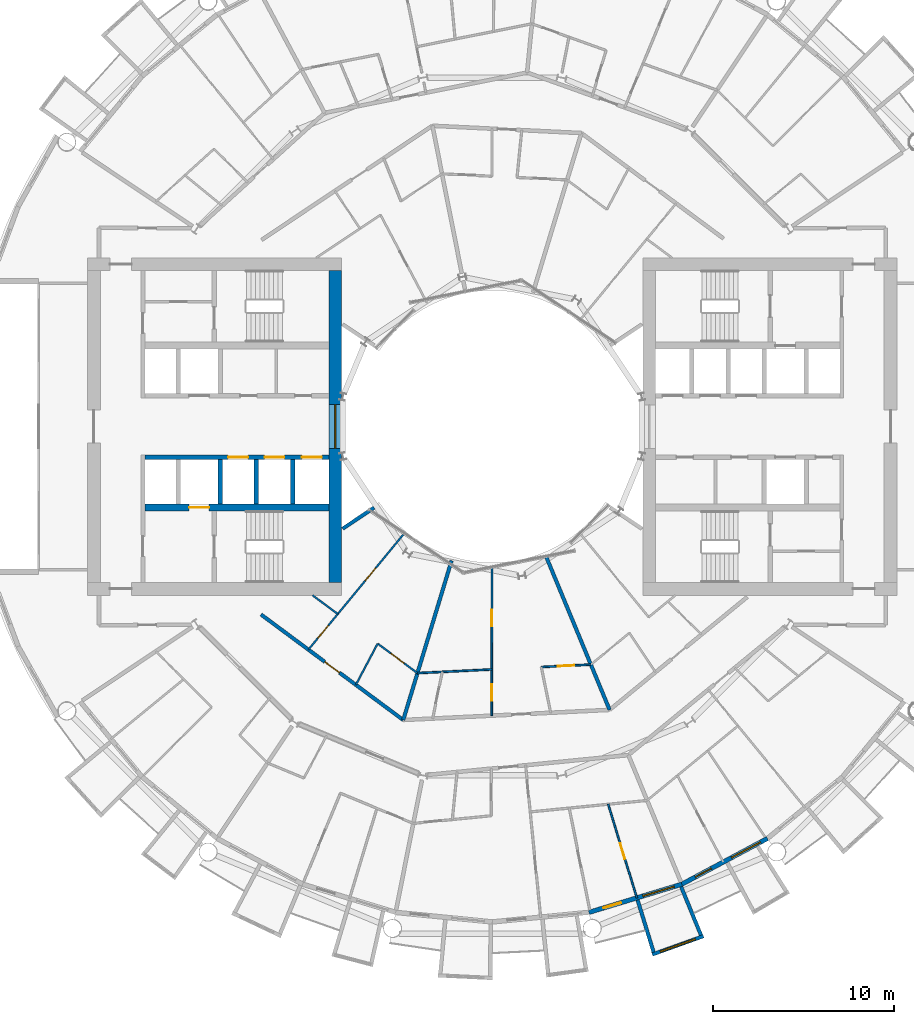
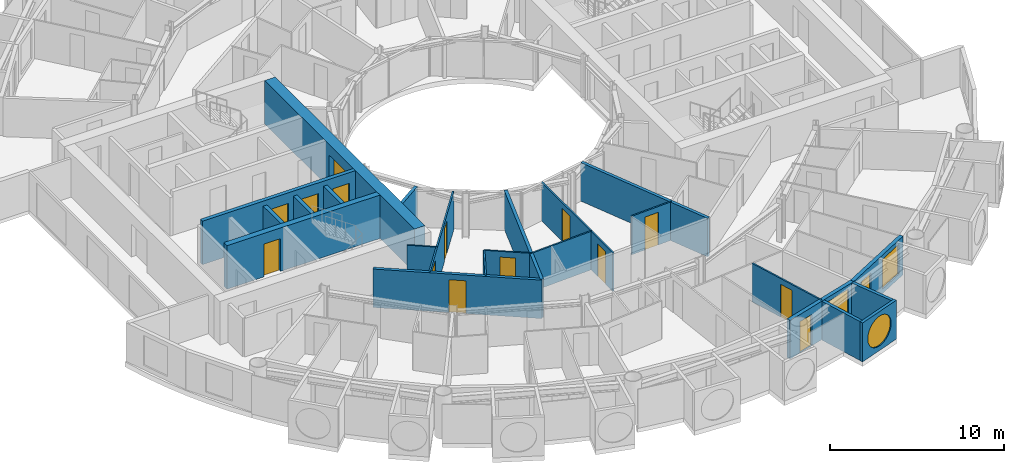
# One storey, part 15 of 26: 23 walls, 14 doors, 4 windows, 18 openings.
"""IFC4 building model written with IfcOpenShell, lengths in metres."""

from ifc_helpers import new_model, si_unit, direction, frame, frame_2d, origin, place, context, subcontext, project, spatial, rectangle, circle, extrude, material, layer, layer_set, type_object, element, fill, save


model = new_model("IFC4")

# Units and contexts
model_context = context("Model", 3, precision=1e-05, world=origin(), true_north=direction((0.0, 1.0)))
body_context = subcontext(model_context, "Body", "Model", "MODEL_VIEW")
ifc_project = project(units=[si_unit("LENGTHUNIT", "METRE"), si_unit("AREAUNIT", "SQUARE_METRE"), si_unit("VOLUMEUNIT", "CUBIC_METRE"), si_unit("PLANEANGLEUNIT", "RADIAN"), si_unit("MASSUNIT", "GRAM", prefix="KILO")], contexts=[model_context])

# Site, building, storey
site_placement = place(None, origin())
site = spatial("IfcSite", under=ifc_project, at=site_placement, CompositionType="ELEMENT")
building_placement = place(site_placement, origin())
building = spatial("IfcBuilding", under=site, at=building_placement, Name="Maasbend Ring Residences", CompositionType="ELEMENT")
storey_placement = place(building_placement, frame((0.0, 0.0, 63.60009765625)))
storey = spatial("IfcBuildingStorey", under=building, at=storey_placement, Name="L17", CompositionType="ELEMENT", Elevation=63.60009765625)

# Wall, openings, doors
ifc_material_1 = material(Name="Concrete C70/85", Category="concrete")
ifc_layer_1 = layer(ifc_material_1, 0.25)
ifc_layer_set_1 = layer_set([ifc_layer_1], Name="Concrete C70/85")
wall_type_1 = type_object("IfcWallType", Name="CORE WALL 250 C70/85", PredefinedType="SHEAR", material=ifc_layer_set_1)
wall_1_placement = place(storey_placement, frame((-9.0, -1.699951171875, 0.0), z_axis=(0.0, 0.0, 1.0), x_axis=(-1.0, 0.0, 0.0)))
wall_1 = element("IfcWall", 1, at=wall_1_placement, inside=storey, type_object=wall_type_1, Name="L17 core W wall SPN", PredefinedType="SHEAR", context=body_context, shape_type="SweptSolid", body=[
    extrude(rectangle(XDim=10.14990234375, YDim=0.25, at=frame_2d((5.074951171875, 0.0))), origin(), (0.0, 0.0, 1.0), 3.0498046875),
])
opening_1_placement = place(wall_1_placement, frame((0.387451171875, 0.0, 0.0)))
opening_1 = element("IfcOpeningElement", 2, at=opening_1_placement, cuts=wall_1, Name="Opening LD-W1701", PredefinedType="OPENING", context=body_context, shape_type="SweptSolid", body=[
    extrude(rectangle(XDim=1.10009765625, YDim=2.300048828125, at=frame_2d((0.550048828125, 1.14990234375))), frame((0.0, 0.135009765625, 0.0), z_axis=(0.0, -1.0, 0.0), x_axis=(1.0, 0.0, 0.0)), (0.0, 0.0, 1.0), 0.27001953125),
])
opening_2_placement = place(wall_1_placement, frame((2.449951171875, 0.0, 0.0)))
opening_2 = element("IfcOpeningElement", 3, at=opening_2_placement, cuts=wall_1, Name="Opening LD-W1702", PredefinedType="OPENING", context=body_context, shape_type="SweptSolid", body=[
    extrude(rectangle(XDim=1.10009765625, YDim=2.300048828125, at=frame_2d((0.550048828125, 1.14990234375))), frame((0.0, 0.135009765625, 0.0), z_axis=(0.0, -1.0, 0.0), x_axis=(1.0, 0.0, 0.0)), (0.0, 0.0, 1.0), 0.27001953125),
])
opening_3_placement = place(wall_1_placement, frame((4.449951171875, 0.0, 0.0)))
opening_3 = element("IfcOpeningElement", 4, at=opening_3_placement, cuts=wall_1, Name="Opening LD-W1703", PredefinedType="OPENING", context=body_context, shape_type="SweptSolid", body=[
    extrude(rectangle(XDim=1.10009765625, YDim=2.300048828125, at=frame_2d((0.550048828125, 1.14990234375))), frame((0.0, 0.135009765625, 0.0), z_axis=(0.0, -1.0, 0.0), x_axis=(1.0, 0.0, 0.0)), (0.0, 0.0, 1.0), 0.27001953125),
])
ifc_material_2 = material(Name="Stainless steel 316", Category="steel")
door_type_1 = type_object("IfcDoorType", Name="LANDING DOOR 1100 X 2300 FD60", OperationType="DOUBLE_DOOR_SLIDING", PredefinedType="DOOR", material=ifc_material_2)
door_1_placement = place(opening_1_placement, origin())
door_1 = element("IfcDoor", 5, at=door_1_placement, inside=storey, type_object=door_type_1, Name="Landing door LR-W1 L17", OperationType="DOUBLE_DOOR_SLIDING", OverallHeight=2.300048828125, OverallWidth=1.10009765625, PredefinedType="DOOR", context=body_context, shape_type="SweptSolid", body=[
    extrude(rectangle(XDim=1.10009765625, YDim=2.300048828125, at=frame_2d((0.550048828125, 1.14990234375))), frame((0.0, 0.02490234375, 0.0), z_axis=(0.0, -1.0, 0.0), x_axis=(1.0, 0.0, 0.0)), (0.0, 0.0, 1.0), 0.050048828125),
])
fill(opening_1, door_1)
door_2_placement = place(opening_2_placement, origin())
door_2 = element("IfcDoor", 6, at=door_2_placement, inside=storey, type_object=door_type_1, Name="Landing door LR-W2 L17", OperationType="DOUBLE_DOOR_SLIDING", OverallHeight=2.300048828125, OverallWidth=1.10009765625, PredefinedType="DOOR", context=body_context, shape_type="SweptSolid", body=[
    extrude(rectangle(XDim=1.10009765625, YDim=2.300048828125, at=frame_2d((0.550048828125, 1.14990234375))), frame((0.0, 0.02490234375, 0.0), z_axis=(0.0, -1.0, 0.0), x_axis=(1.0, 0.0, 0.0)), (0.0, 0.0, 1.0), 0.050048828125),
])
fill(opening_2, door_2)
door_3_placement = place(opening_3_placement, origin())
door_3 = element("IfcDoor", 7, at=door_3_placement, inside=storey, type_object=door_type_1, Name="Landing door LR-W3 L17", OperationType="DOUBLE_DOOR_SLIDING", OverallHeight=2.300048828125, OverallWidth=1.10009765625, PredefinedType="DOOR", context=body_context, shape_type="SweptSolid", body=[
    extrude(rectangle(XDim=1.10009765625, YDim=2.300048828125, at=frame_2d((0.550048828125, 1.14990234375))), frame((0.0, 0.02490234375, 0.0), z_axis=(0.0, -1.0, 0.0), x_axis=(1.0, 0.0, 0.0)), (0.0, 0.0, 1.0), 0.050048828125),
])
fill(opening_3, door_3)

# Wall, opening, door
ifc_material_3 = material(Name="Concrete C70/85", Category="concrete")
ifc_layer_2 = layer(ifc_material_3, 0.375)
ifc_layer_set_2 = layer_set([ifc_layer_2], Name="Concrete C70/85")
wall_type_2 = type_object("IfcWallType", Name="CORE WALL 375 C70/85", PredefinedType="SHEAR", material=ifc_layer_set_2)
wall_2_placement = place(storey_placement, frame((-9.0, -4.46240234375, 0.0), z_axis=(0.0, 0.0, 1.0), x_axis=(-1.0, 0.0, 0.0)))
wall_2 = element("IfcWall", 8, at=wall_2_placement, inside=storey, type_object=wall_type_2, Name="L17 core W wall BN", PredefinedType="SHEAR", context=body_context, shape_type="SweptSolid", body=[
    extrude(rectangle(XDim=10.14990234375, YDim=0.375, at=frame_2d((5.074951171875, 0.0))), origin(), (0.0, 0.0, 1.0), 3.0498046875),
])
opening_4_placement = place(wall_2_placement, frame((6.60009765625, 0.0, 0.0)))
opening_4 = element("IfcOpeningElement", 9, at=opening_4_placement, cuts=wall_2, Name="Opening LD-W1704", PredefinedType="OPENING", context=body_context, shape_type="SweptSolid", body=[
    extrude(rectangle(XDim=1.10009765625, YDim=2.300048828125, at=frame_2d((0.550048828125, 1.14990234375))), frame((0.0, 0.197509765625, 0.0), z_axis=(0.0, -1.0, 0.0), x_axis=(1.0, 0.0, 0.0)), (0.0, 0.0, 1.0), 0.39501953125),
])
door_4_placement = place(opening_4_placement, origin())
door_4 = element("IfcDoor", 10, at=door_4_placement, inside=storey, type_object=door_type_1, Name="Landing door FF-W L17", OperationType="DOUBLE_DOOR_SLIDING", OverallHeight=2.300048828125, OverallWidth=1.10009765625, PredefinedType="DOOR", context=body_context, shape_type="SweptSolid", body=[
    extrude(rectangle(XDim=1.10009765625, YDim=2.300048828125, at=frame_2d((0.550048828125, 1.14990234375))), frame((0.0, 0.02490234375, 0.0), z_axis=(0.0, -1.0, 0.0), x_axis=(1.0, 0.0, 0.0)), (0.0, 0.0, 1.0), 0.050048828125),
])
fill(opening_4, door_4)

# Wall, opening, window
ifc_material_4 = material(Name="Concrete C70/85", Category="concrete")
ifc_layer_3 = layer(ifc_material_4, 0.699951171875)
ifc_layer_set_3 = layer_set([ifc_layer_3], Name="Concrete C70/85")
wall_type_3 = type_object("IfcWallType", Name="CORE WALL 700 C70/85", PredefinedType="SHEAR", material=ifc_layer_set_3)
wall_3_placement = place(storey_placement, frame((-8.64990234375, 8.60009765625, 0.0), z_axis=(0.0, 0.0, 1.0), x_axis=(0.0, -1.0, 0.0)))
wall_3 = element("IfcWall", 11, at=wall_3_placement, inside=storey, type_object=wall_type_3, Name="L17 core W wall PIN", PredefinedType="SHEAR", context=body_context, shape_type="SweptSolid", body=[
    extrude(rectangle(XDim=17.2001953125, YDim=0.699951171875, at=frame_2d((8.60009765625, 0.0))), origin(), (0.0, 0.0, 1.0), 3.0498046875),
])
opening_5_placement = place(wall_3_placement, frame((7.39990234375, 0.0, 0.10009765625)))
opening_5 = element("IfcOpeningElement", 12, at=opening_5_placement, cuts=wall_3, Name="Opening W-W1701", PredefinedType="OPENING", context=body_context, shape_type="SweptSolid", body=[
    extrude(rectangle(XDim=2.39990234375, YDim=2.199951171875, at=frame_2d((1.199951171875, 1.10009765625))), frame((0.0, 0.35986328125, 0.0), z_axis=(0.0, -1.0, 0.0), x_axis=(1.0, 0.0, 0.0)), (0.0, 0.0, 1.0), 0.719970703125),
])
ifc_material_5 = material(Name="Aluminium frame and clear glass", Category="aluminium")
window_type_1 = type_object("IfcWindowType", Name="FIXED WINDOW 2400 X 2200", PartitioningType="SINGLE_PANEL", PredefinedType="WINDOW", material=ifc_material_5)
window_1_placement = place(opening_5_placement, origin())
window_1 = element("IfcWindow", 13, at=window_1_placement, inside=storey, type_object=window_type_1, Name="Lobby window L17", OverallHeight=2.199951171875, OverallWidth=2.39990234375, PartitioningType="SINGLE_PANEL", PredefinedType="WINDOW", context=body_context, shape_type="SweptSolid", body=[
    extrude(rectangle(XDim=2.39990234375, YDim=2.199951171875, at=frame_2d((1.199951171875, 1.10009765625))), frame((0.0, 0.030029296875, 0.0), z_axis=(0.0, -1.0, 0.0), x_axis=(1.0, 0.0, 0.0)), (0.0, 0.0, 1.0), 0.06005859375),
])
fill(opening_5, window_1)

# Wall, opening, door
ifc_material_6 = material(Name="Concrete C30/37", Category="concrete")
ifc_layer_4 = layer(ifc_material_6, 0.199951171875)
ifc_layer_set_4 = layer_set([ifc_layer_4], Name="Concrete C30/37")
wall_type_4 = type_object("IfcWallType", Name="CORRIDOR WALL 200 CONCRETE", PredefinedType="PARTITIONING", material=ifc_layer_set_4)
wall_4_placement = place(storey_placement, frame((-12.7451171875, -10.35791015625, 0.0), z_axis=(0.0, 0.0, 1.0), x_axis=(0.803191461888, -0.595720971219, 0.0)))
wall_4 = element("IfcWall", 14, at=wall_4_placement, inside=storey, type_object=wall_type_4, Name="U-L17-w016", PredefinedType="PARTITIONING", context=body_context, shape_type="SweptSolid", body=[
    extrude(rectangle(XDim=9.760009765625, YDim=0.199951171875, at=frame_2d((4.8798828125, 0.0))), origin(), (0.0, 0.0, 1.0), 2.699951171875),
])
opening_6_placement = place(wall_4_placement, frame((4.3798828125, 0.0, 0.0)))
opening_6 = element("IfcOpeningElement", 15, at=opening_6_placement, cuts=wall_4, Name="Opening D-1757", PredefinedType="OPENING", context=body_context, shape_type="SweptSolid", body=[
    extrude(rectangle(XDim=1.0, YDim=2.300048828125, at=frame_2d((0.5, 1.14990234375))), frame((0.0, 0.10986328125, 0.0), z_axis=(0.0, -1.0, 0.0), x_axis=(1.0, 0.0, 0.0)), (0.0, 0.0, 1.0), 0.219970703125),
])
ifc_material_7 = material(Name="Timber, fire-rated, painted", Category="wood")
door_type_2 = type_object("IfcDoorType", Name="FLAT ENTRANCE DOOR 1000 X 2300 FIRE-RATED", OperationType="NOTDEFINED", PredefinedType="DOOR", material=ifc_material_7)
door_5_placement = place(opening_6_placement, origin())
door_5 = element("IfcDoor", 16, at=door_5_placement, inside=storey, type_object=door_type_2, Name="D-1757", OperationType="SINGLE_SWING_RIGHT", OverallHeight=2.300048828125, OverallWidth=1.0, PredefinedType="DOOR", context=body_context, shape_type="SweptSolid", body=[
    extrude(rectangle(XDim=1.0, YDim=2.300048828125, at=frame_2d((0.5, 1.14990234375))), frame((0.0, 0.02490234375, 0.0), z_axis=(0.0, -1.0, 0.0), x_axis=(1.0, 0.0, 0.0)), (0.0, 0.0, 1.0), 0.050048828125),
])
fill(opening_6, door_5)

# Wall, opening, window
ifc_material_8 = material(Name="Pale anodised aluminium panel", Category="aluminium")
ifc_layer_5 = layer(ifc_material_8, 0.199951171875)
ifc_layer_set_5 = layer_set([ifc_layer_5], Name="EW-BOX")
wall_type_5 = type_object("IfcWallType", Name="EW-BOX", PredefinedType="SOLIDWALL", material=ifc_layer_set_5)
wall_5_placement = place(storey_placement, frame((8.820068359375, -29.093017578125, -0.030029296875), z_axis=(0.0, 0.0, 1.0), x_axis=(0.941461077774, 0.337121697664, 0.0)))
wall_5 = element("IfcWall", 17, at=wall_5_placement, inside=storey, type_object=wall_type_5, Name="Box front S14", PredefinedType="SOLIDWALL", context=body_context, shape_type="SweptSolid", body=[
    extrude(rectangle(XDim=2.9931640625, YDim=0.199951171875, at=frame_2d((1.49658203125, 0.0))), origin(), (0.0, 0.0, 1.0), 2.72998046875),
])
opening_7_placement = place(wall_5_placement, frame((0.45654296875, 0.0, 0.330078125)))
opening_7 = element("IfcOpeningElement", 18, at=opening_7_placement, cuts=wall_5, Name="Opening W-RD", PredefinedType="OPENING", context=body_context, shape_type="SweptSolid", body=[
    extrude(circle(Radius=1.0400390625, at=frame_2d((1.0400390625, 1.0400390625))), frame((0.0, 0.10986328125, 0.0), z_axis=(0.0, -1.0, 0.0), x_axis=(1.0, 0.0, 0.0)), (0.0, 0.0, 1.0), 0.219970703125),
])
ifc_material_9 = material(Name="Aluminium and clear glass", Category="aluminium")
window_type_2 = type_object("IfcWindowType", Name="W-RD", PartitioningType="SINGLE_PANEL", PredefinedType="WINDOW", material=ifc_material_9)
window_2_placement = place(opening_7_placement, origin())
window_2 = element("IfcWindow", 19, at=window_2_placement, inside=storey, type_object=window_type_2, Name="Round window S14", OverallHeight=2.080078125, OverallWidth=2.080078125, PartitioningType="SINGLE_PANEL", PredefinedType="WINDOW", context=body_context, shape_type="SweptSolid", body=[
    extrude(circle(Radius=1.0400390625, at=frame_2d((1.0400390625, 1.0400390625))), frame((0.0, 0.030029296875, 0.0), z_axis=(0.0, -1.0, 0.0), x_axis=(1.0, 0.0, 0.0)), (0.0, 0.0, 1.0), 0.06005859375),
])
fill(opening_7, window_2)

# Walls
wall_6_placement = place(storey_placement, frame((8.009033203125, -26.092041015625, -0.030029296875), z_axis=(0.0, 0.0, 1.0), x_axis=(0.293406695073, -0.955987715029, 0.0)))
element("IfcWall", 20, at=wall_6_placement, inside=storey, type_object=wall_type_5, Name="Box side wall S14 left", PredefinedType="SOLIDWALL", context=body_context, shape_type="SweptSolid", body=[
    extrude(rectangle(XDim=3.00634765625, YDim=0.199951171875, at=frame_2d((1.503173828125, 0.0))), origin(), (0.0, 0.0, 1.0), 2.72998046875),
])
wall_7_placement = place(storey_placement, frame((10.408935546875, -25.364013671875, -0.030029296875), z_axis=(0.0, 0.0, 1.0), x_axis=(0.379509886562, -0.925187681501, 0.0)))
element("IfcWall", 21, at=wall_7_placement, inside=storey, type_object=wall_type_5, Name="Box side wall S14 right", PredefinedType="SOLIDWALL", context=body_context, shape_type="SweptSolid", body=[
    extrude(rectangle(XDim=2.882568359375, YDim=0.199951171875, at=frame_2d((1.44140625, 0.0))), origin(), (0.0, 0.0, 1.0), 2.72998046875),
])

# Wall, openings, door, window
ifc_material_10 = material(Name="Aluminium clad insulated panel", Category="aluminium")
ifc_layer_6 = layer(ifc_material_10, 0.25)
ifc_layer_set_6 = layer_set([ifc_layer_6], Name="EW-GL")
wall_type_6 = type_object("IfcWallType", Name="EW-GL", PredefinedType="SOLIDWALL", material=ifc_layer_set_6)
wall_8_placement = place(storey_placement, frame((5.325927734375, -26.77490234375, 0.0), z_axis=(0.0, 0.0, 1.0), x_axis=(0.956965678721, 0.290201119486, 0.0)))
wall_8 = element("IfcWall", 22, at=wall_8_placement, inside=storey, type_object=wall_type_6, Name="External wall S07", PredefinedType="SOLIDWALL", context=body_context, shape_type="SweptSolid", body=[
    extrude(rectangle(XDim=5.351318359375, YDim=0.25, at=frame_2d((2.67578125, 0.0))), origin(), (0.0, 0.0, 1.0), 2.699951171875),
])
opening_8_placement = place(wall_8_placement, frame((0.841064453125, 0.0, 0.0)))
opening_8 = element("IfcOpeningElement", 23, at=opening_8_placement, cuts=wall_8, Name="Opening D-LG", PredefinedType="OPENING", context=body_context, shape_type="SweptSolid", body=[
    extrude(rectangle(XDim=1.0, YDim=2.199951171875, at=frame_2d((0.5, 1.10009765625))), frame((0.0, 0.135009765625, 0.0), z_axis=(0.0, -1.0, 0.0), x_axis=(1.0, 0.0, 0.0)), (0.0, 0.0, 1.0), 0.27001953125),
])
opening_9_placement = place(wall_8_placement, frame((3.110595703125, 0.0, 0.300048828125)))
opening_9 = element("IfcOpeningElement", 24, at=opening_9_placement, cuts=wall_8, Name="Opening W-BX", PredefinedType="OPENING", context=body_context, shape_type="SweptSolid", body=[
    extrude(rectangle(XDim=1.800048828125, YDim=2.10009765625, at=frame_2d((0.89990234375, 1.050048828125))), frame((0.0, 0.135009765625, 0.0), z_axis=(0.0, -1.0, 0.0), x_axis=(1.0, 0.0, 0.0)), (0.0, 0.0, 1.0), 0.27001953125),
])
ifc_material_11 = material(Name="Aluminium and clear glass", Category="aluminium")
door_type_3 = type_object("IfcDoorType", Name="D-LG", OperationType="SINGLE_SWING_LEFT", PredefinedType="DOOR", material=ifc_material_11)
door_6_placement = place(opening_8_placement, origin())
door_6 = element("IfcDoor", 25, at=door_6_placement, inside=storey, type_object=door_type_3, Name="Loggia door S13", OperationType="SINGLE_SWING_LEFT", OverallHeight=2.199951171875, OverallWidth=1.0, PredefinedType="DOOR", context=body_context, shape_type="SweptSolid", body=[
    extrude(rectangle(XDim=1.0, YDim=2.199951171875, at=frame_2d((0.5, 1.10009765625))), frame((0.0, 0.02490234375, 0.0), z_axis=(0.0, -1.0, 0.0), x_axis=(1.0, 0.0, 0.0)), (0.0, 0.0, 1.0), 0.050048828125),
])
fill(opening_8, door_6)
ifc_material_12 = material(Name="Aluminium and clear glass", Category="aluminium")
window_type_3 = type_object("IfcWindowType", Name="W-BX", PartitioningType="DOUBLE_PANEL_VERTICAL", PredefinedType="WINDOW", material=ifc_material_12)
window_3_placement = place(opening_9_placement, origin())
window_3 = element("IfcWindow", 26, at=window_3_placement, inside=storey, type_object=window_type_3, Name="Window S14 room to box", OverallHeight=2.10009765625, OverallWidth=1.800048828125, PartitioningType="SINGLE_PANEL", PredefinedType="WINDOW", context=body_context, shape_type="SweptSolid", body=[
    extrude(rectangle(XDim=1.800048828125, YDim=2.10009765625, at=frame_2d((0.89990234375, 1.050048828125))), frame((0.0, 0.030029296875, 0.0), z_axis=(0.0, -1.0, 0.0), x_axis=(1.0, 0.0, 0.0)), (0.0, 0.0, 1.0), 0.06005859375),
])
fill(opening_9, window_3)

wall_9_placement = place(storey_placement, frame((10.447021484375, -25.221923828125, 0.0), z_axis=(0.0, 0.0, 1.0), x_axis=(0.881915646801, 0.471407246368, 0.0)))
wall_9 = element("IfcWall", 27, at=wall_9_placement, inside=storey, type_object=wall_type_6, Name="External wall S08", PredefinedType="SOLIDWALL", context=body_context, shape_type="SweptSolid", body=[
    extrude(rectangle(XDim=5.35205078125, YDim=0.25, at=frame_2d((2.676025390625, 0.0))), origin(), (0.0, 0.0, 1.0), 2.699951171875),
])
opening_10_placement = place(wall_9_placement, frame((0.841064453125, 0.0, 0.0)))
opening_10 = element("IfcOpeningElement", 28, at=opening_10_placement, cuts=wall_9, Name="Opening D-LG", PredefinedType="OPENING", context=body_context, shape_type="SweptSolid", body=[
    extrude(rectangle(XDim=1.0, YDim=2.199951171875, at=frame_2d((0.5, 1.10009765625))), frame((0.0, 0.135009765625, 0.0), z_axis=(0.0, -1.0, 0.0), x_axis=(1.0, 0.0, 0.0)), (0.0, 0.0, 1.0), 0.27001953125),
])
opening_11_placement = place(wall_9_placement, frame((3.110595703125, 0.0, 0.300048828125)))
opening_11 = element("IfcOpeningElement", 29, at=opening_11_placement, cuts=wall_9, Name="Opening W-BX", PredefinedType="OPENING", context=body_context, shape_type="SweptSolid", body=[
    extrude(rectangle(XDim=1.800048828125, YDim=2.10009765625, at=frame_2d((0.89990234375, 1.050048828125))), frame((0.0, 0.135009765625, 0.0), z_axis=(0.0, -1.0, 0.0), x_axis=(1.0, 0.0, 0.0)), (0.0, 0.0, 1.0), 0.27001953125),
])
door_7_placement = place(opening_10_placement, origin())
door_7 = element("IfcDoor", 30, at=door_7_placement, inside=storey, type_object=door_type_3, Name="Loggia door S15", OperationType="SINGLE_SWING_LEFT", OverallHeight=2.199951171875, OverallWidth=1.0, PredefinedType="DOOR", context=body_context, shape_type="SweptSolid", body=[
    extrude(rectangle(XDim=1.0, YDim=2.199951171875, at=frame_2d((0.5, 1.10009765625))), frame((0.0, 0.02490234375, 0.0), z_axis=(0.0, -1.0, 0.0), x_axis=(1.0, 0.0, 0.0)), (0.0, 0.0, 1.0), 0.050048828125),
])
fill(opening_10, door_7)
window_4_placement = place(opening_11_placement, origin())
window_4 = element("IfcWindow", 31, at=window_4_placement, inside=storey, type_object=window_type_3, Name="Window S16 room to box", OverallHeight=2.10009765625, OverallWidth=1.800048828125, PartitioningType="SINGLE_PANEL", PredefinedType="WINDOW", context=body_context, shape_type="SweptSolid", body=[
    extrude(rectangle(XDim=1.800048828125, YDim=2.10009765625, at=frame_2d((0.89990234375, 1.050048828125))), frame((0.0, 0.030029296875, 0.0), z_axis=(0.0, -1.0, 0.0), x_axis=(1.0, 0.0, 0.0)), (0.0, 0.0, 1.0), 0.06005859375),
])
fill(opening_11, window_4)

# Wall
ifc_material_13 = material(Name="Gypsum board on steel studs", Category="steel")
ifc_layer_7 = layer(ifc_material_13, 0.10009765625)
ifc_layer_set_7 = layer_set([ifc_layer_7], Name="PARTITION 100 GYPSUM")
wall_type_7 = type_object("IfcWallType", Name="PARTITION 100 GYPSUM", PredefinedType="PARTITIONING", material=ifc_layer_set_7)
wall_10_placement = place(storey_placement, frame((-9.904052734375, -9.300048828125, 0.0), z_axis=(0.0, 0.0, 1.0), x_axis=(0.803135014325, -0.595797070121, 0.0)))
element("IfcWall", 32, at=wall_10_placement, inside=storey, type_object=wall_type_7, Name="U-L17-w020", PredefinedType="PARTITIONING", context=body_context, shape_type="SweptSolid", body=[
    extrude(rectangle(XDim=1.732177734375, YDim=0.10009765625, at=frame_2d((0.8662109375, 0.0))), origin(), (0.0, 0.0, 1.0), 2.699951171875),
])

# Wall, opening, door
wall_11_placement = place(storey_placement, frame((-6.319091796875, -11.9599609375, 0.0), z_axis=(0.0, 0.0, 1.0), x_axis=(0.803128348509, -0.595806055542, 0.0)))
wall_11 = element("IfcWall", 33, at=wall_11_placement, inside=storey, type_object=wall_type_7, Name="U-L17-w021", PredefinedType="PARTITIONING", context=body_context, shape_type="SweptSolid", body=[
    extrude(rectangle(XDim=2.734375, YDim=0.10009765625, at=frame_2d((1.3671875, 0.0))), origin(), (0.0, 0.0, 1.0), 2.699951171875),
])
opening_12_placement = place(wall_11_placement, frame((0.91796875, 0.0, 0.0)))
opening_12 = element("IfcOpeningElement", 34, at=opening_12_placement, cuts=wall_11, Name="Opening D-1758", PredefinedType="OPENING", context=body_context, shape_type="SweptSolid", body=[
    extrude(rectangle(XDim=0.89990234375, YDim=2.300048828125, at=frame_2d((0.449951171875, 1.14990234375))), frame((0.0, 0.06005859375, 0.0), z_axis=(0.0, -1.0, 0.0), x_axis=(1.0, 0.0, 0.0)), (0.0, 0.0, 1.0), 0.1201171875),
])
ifc_material_14 = material(Name="Timber, painted", Category="wood")
door_type_4 = type_object("IfcDoorType", Name="INTERNAL DOOR 900 X 2300", OperationType="NOTDEFINED", PredefinedType="DOOR", material=ifc_material_14)
door_8_placement = place(opening_12_placement, origin())
door_8 = element("IfcDoor", 35, at=door_8_placement, inside=storey, type_object=door_type_4, Name="D-1758", OperationType="SINGLE_SWING_RIGHT", OverallHeight=2.300048828125, OverallWidth=0.89990234375, PredefinedType="DOOR", context=body_context, shape_type="SweptSolid", body=[
    extrude(rectangle(XDim=0.89990234375, YDim=2.300048828125, at=frame_2d((0.449951171875, 1.14990234375))), frame((0.0, 0.02490234375, 0.0), z_axis=(0.0, -1.0, 0.0), x_axis=(1.0, 0.0, 0.0)), (0.0, 0.0, 1.0), 0.050048828125),
])
fill(opening_12, door_8)

# Wall
wall_12_placement = place(storey_placement, frame((-4.132080078125, -13.589111328125, 0.0), z_axis=(0.0, 0.0, 1.0), x_axis=(0.998789681748, 0.049185075323, 0.0)))
element("IfcWall", 36, at=wall_12_placement, inside=storey, type_object=wall_type_7, Name="U-L17-w022", PredefinedType="PARTITIONING", context=body_context, shape_type="SweptSolid", body=[
    extrude(rectangle(XDim=4.10986328125, YDim=0.10009765625, at=frame_2d((2.054931640625, 0.0))), origin(), (0.0, 0.0, 1.0), 2.699951171875),
])

# Wall, opening, door
wall_13_placement = place(storey_placement, frame((2.7041015625, -13.2529296875, 0.0), z_axis=(0.0, 0.0, 1.0), x_axis=(0.998796928508, 0.049037695739, 0.0)))
wall_13 = element("IfcWall", 37, at=wall_13_placement, inside=storey, type_object=wall_type_7, Name="U-L17-w023", PredefinedType="PARTITIONING", context=body_context, shape_type="SweptSolid", body=[
    extrude(rectangle(XDim=2.733154296875, YDim=0.10009765625, at=frame_2d((1.36669921875, 0.0))), origin(), (0.0, 0.0, 1.0), 2.699951171875),
])
opening_13_placement = place(wall_13_placement, frame((0.9169921875, 0.0, 0.0)))
opening_13 = element("IfcOpeningElement", 38, at=opening_13_placement, cuts=wall_13, Name="Opening D-1762", PredefinedType="OPENING", context=body_context, shape_type="SweptSolid", body=[
    extrude(rectangle(XDim=0.89990234375, YDim=2.300048828125, at=frame_2d((0.449951171875, 1.14990234375))), frame((0.0, 0.06005859375, 0.0), z_axis=(0.0, -1.0, 0.0), x_axis=(1.0, 0.0, 0.0)), (0.0, 0.0, 1.0), 0.1201171875),
])
door_9_placement = place(opening_13_placement, origin())
door_9 = element("IfcDoor", 39, at=door_9_placement, inside=storey, type_object=door_type_4, Name="D-1762", OperationType="SINGLE_SWING_RIGHT", OverallHeight=2.300048828125, OverallWidth=0.89990234375, PredefinedType="DOOR", context=body_context, shape_type="SweptSolid", body=[
    extrude(rectangle(XDim=0.89990234375, YDim=2.300048828125, at=frame_2d((0.449951171875, 1.14990234375))), frame((0.0, 0.02490234375, 0.0), z_axis=(0.0, -1.0, 0.0), x_axis=(1.0, 0.0, 0.0)), (0.0, 0.0, 1.0), 0.050048828125),
])
fill(opening_13, door_9)

# Wall, openings, doors
wall_14_placement = place(storey_placement, frame((-10.132080078125, -12.2958984375, 0.0), z_axis=(0.0, 0.0, 1.0), x_axis=(0.636105207978, 0.771602335652, 0.0)))
wall_14 = element("IfcWall", 40, at=wall_14_placement, inside=storey, type_object=wall_type_7, Name="U-L17-w042", PredefinedType="PARTITIONING", context=body_context, shape_type="SweptSolid", body=[
    extrude(rectangle(XDim=8.212646484375, YDim=0.10009765625, at=frame_2d((4.1064453125, 0.0))), origin(), (0.0, 0.0, 1.0), 2.699951171875),
])
opening_14_placement = place(wall_14_placement, frame((0.821044921875, 0.0, 0.0)))
opening_14 = element("IfcOpeningElement", 41, at=opening_14_placement, cuts=wall_14, Name="Opening D-1759", PredefinedType="OPENING", context=body_context, shape_type="SweptSolid", body=[
    extrude(rectangle(XDim=0.89990234375, YDim=2.300048828125, at=frame_2d((0.449951171875, 1.14990234375))), frame((0.0, 0.06005859375, 0.0), z_axis=(0.0, -1.0, 0.0), x_axis=(1.0, 0.0, 0.0)), (0.0, 0.0, 1.0), 0.1201171875),
])
opening_15_placement = place(wall_14_placement, frame((4.928955078125, 0.0, 0.0)))
opening_15 = element("IfcOpeningElement", 42, at=opening_15_placement, cuts=wall_14, Name="Opening D-1760", PredefinedType="OPENING", context=body_context, shape_type="SweptSolid", body=[
    extrude(rectangle(XDim=0.89990234375, YDim=2.300048828125, at=frame_2d((0.449951171875, 1.14990234375))), frame((0.0, 0.06005859375, 0.0), z_axis=(0.0, -1.0, 0.0), x_axis=(1.0, 0.0, 0.0)), (0.0, 0.0, 1.0), 0.1201171875),
])
door_10_placement = place(opening_14_placement, origin())
door_10 = element("IfcDoor", 43, at=door_10_placement, inside=storey, type_object=door_type_4, Name="D-1759", OperationType="SINGLE_SWING_LEFT", OverallHeight=2.300048828125, OverallWidth=0.89990234375, PredefinedType="DOOR", context=body_context, shape_type="SweptSolid", body=[
    extrude(rectangle(XDim=0.89990234375, YDim=2.300048828125, at=frame_2d((0.449951171875, 1.14990234375))), frame((0.0, 0.02490234375, 0.0), z_axis=(0.0, -1.0, 0.0), x_axis=(1.0, 0.0, 0.0)), (0.0, 0.0, 1.0), 0.050048828125),
])
fill(opening_14, door_10)
door_11_placement = place(opening_15_placement, origin())
door_11 = element("IfcDoor", 44, at=door_11_placement, inside=storey, type_object=door_type_4, Name="D-1760", OperationType="SINGLE_SWING_RIGHT", OverallHeight=2.300048828125, OverallWidth=0.89990234375, PredefinedType="DOOR", context=body_context, shape_type="SweptSolid", body=[
    extrude(rectangle(XDim=0.89990234375, YDim=2.300048828125, at=frame_2d((0.449951171875, 1.14990234375))), frame((0.0, 0.02490234375, 0.0), z_axis=(0.0, -1.0, 0.0), x_axis=(1.0, 0.0, 0.0)), (0.0, 0.0, 1.0), 0.050048828125),
])
fill(opening_15, door_11)

# Wall
wall_15_placement = place(storey_placement, frame((-7.51708984375, -14.235107421875, 0.0), z_axis=(0.0, 0.0, 1.0), x_axis=(0.467037016128, 0.884237765291, 0.0)))
element("IfcWall", 45, at=wall_15_placement, inside=storey, type_object=wall_type_7, Name="U-L17-w046", PredefinedType="PARTITIONING", context=body_context, shape_type="SweptSolid", body=[
    extrude(rectangle(XDim=2.57177734375, YDim=0.10009765625, at=frame_2d((1.285888671875, 0.0))), origin(), (0.0, 0.0, 1.0), 2.699951171875),
])

# Wall, openings, doors
wall_16_placement = place(storey_placement, frame((-0.031982421875, -15.93310546875, 0.0), z_axis=(0.0, 0.0, 1.0), x_axis=(0.002080789764, 0.999997835155, 0.0)))
wall_16 = element("IfcWall", 46, at=wall_16_placement, inside=storey, type_object=wall_type_7, Name="U-L17-w059", PredefinedType="PARTITIONING", context=body_context, shape_type="SweptSolid", body=[
    extrude(rectangle(XDim=8.213134765625, YDim=0.10009765625, at=frame_2d((4.1064453125, 0.0))), origin(), (0.0, 0.0, 1.0), 2.699951171875),
])
opening_16_placement = place(wall_16_placement, frame((0.822998046875, 0.0, 0.0)))
opening_16 = element("IfcOpeningElement", 47, at=opening_16_placement, cuts=wall_16, Name="Opening D-1763", PredefinedType="OPENING", context=body_context, shape_type="SweptSolid", body=[
    extrude(rectangle(XDim=0.89990234375, YDim=2.300048828125, at=frame_2d((0.449951171875, 1.14990234375))), frame((0.0, 0.06005859375, 0.0), z_axis=(0.0, -1.0, 0.0), x_axis=(1.0, 0.0, 0.0)), (0.0, 0.0, 1.0), 0.1201171875),
])
opening_17_placement = place(wall_16_placement, frame((4.929931640625, 0.0, 0.0)))
opening_17 = element("IfcOpeningElement", 48, at=opening_17_placement, cuts=wall_16, Name="Opening D-1765", PredefinedType="OPENING", context=body_context, shape_type="SweptSolid", body=[
    extrude(rectangle(XDim=0.89990234375, YDim=2.300048828125, at=frame_2d((0.449951171875, 1.14990234375))), frame((0.0, 0.06005859375, 0.0), z_axis=(0.0, -1.0, 0.0), x_axis=(1.0, 0.0, 0.0)), (0.0, 0.0, 1.0), 0.1201171875),
])
door_12_placement = place(opening_16_placement, origin())
door_12 = element("IfcDoor", 49, at=door_12_placement, inside=storey, type_object=door_type_4, Name="D-1763", OperationType="SINGLE_SWING_LEFT", OverallHeight=2.300048828125, OverallWidth=0.89990234375, PredefinedType="DOOR", context=body_context, shape_type="SweptSolid", body=[
    extrude(rectangle(XDim=0.89990234375, YDim=2.300048828125, at=frame_2d((0.449951171875, 1.14990234375))), frame((0.0, 0.02490234375, 0.0), z_axis=(0.0, -1.0, 0.0), x_axis=(1.0, 0.0, 0.0)), (0.0, 0.0, 1.0), 0.050048828125),
])
fill(opening_16, door_12)
door_13_placement = place(opening_17_placement, origin())
door_13 = element("IfcDoor", 50, at=door_13_placement, inside=storey, type_object=door_type_4, Name="D-1765", OperationType="SINGLE_SWING_RIGHT", OverallHeight=2.300048828125, OverallWidth=0.89990234375, PredefinedType="DOOR", context=body_context, shape_type="SweptSolid", body=[
    extrude(rectangle(XDim=0.89990234375, YDim=2.300048828125, at=frame_2d((0.449951171875, 1.14990234375))), frame((0.0, 0.02490234375, 0.0), z_axis=(0.0, -1.0, 0.0), x_axis=(1.0, 0.0, 0.0)), (0.0, 0.0, 1.0), 0.050048828125),
])
fill(opening_17, door_13)

# Wall, opening, door
wall_17_placement = place(storey_placement, frame((6.385986328125, -20.81396484375, 0.0), z_axis=(0.0, 0.0, 1.0), x_axis=(0.293311091719, -0.956017051874, 0.0)))
wall_17 = element("IfcWall", 51, at=wall_17_placement, inside=storey, type_object=wall_type_7, Name="U-L17-w073", PredefinedType="PARTITIONING", context=body_context, shape_type="SweptSolid", body=[
    extrude(rectangle(XDim=5.403564453125, YDim=0.10009765625, at=frame_2d((2.70166015625, 0.0))), origin(), (0.0, 0.0, 1.0), 2.699951171875),
])
opening_18_placement = place(wall_17_placement, frame((2.251953125, 0.0, 0.0)))
opening_18 = element("IfcOpeningElement", 52, at=opening_18_placement, cuts=wall_17, Name="Opening D-1749", PredefinedType="OPENING", context=body_context, shape_type="SweptSolid", body=[
    extrude(rectangle(XDim=0.89990234375, YDim=2.300048828125, at=frame_2d((0.449951171875, 1.14990234375))), frame((0.0, 0.06005859375, 0.0), z_axis=(0.0, -1.0, 0.0), x_axis=(1.0, 0.0, 0.0)), (0.0, 0.0, 1.0), 0.1201171875),
])
door_14_placement = place(opening_18_placement, origin())
door_14 = element("IfcDoor", 53, at=door_14_placement, inside=storey, type_object=door_type_4, Name="D-1749", OperationType="SINGLE_SWING_RIGHT", OverallHeight=2.300048828125, OverallWidth=0.89990234375, PredefinedType="DOOR", context=body_context, shape_type="SweptSolid", body=[
    extrude(rectangle(XDim=0.89990234375, YDim=2.300048828125, at=frame_2d((0.449951171875, 1.14990234375))), frame((0.0, 0.02490234375, 0.0), z_axis=(0.0, -1.0, 0.0), x_axis=(1.0, 0.0, 0.0)), (0.0, 0.0, 1.0), 0.050048828125),
])
fill(opening_18, door_14)

# Walls
ifc_material_15 = material(Name="Concrete C30/37", Category="concrete")
ifc_layer_8 = layer(ifc_material_15, 0.199951171875)
ifc_layer_set_8 = layer_set([ifc_layer_8], Name="Concrete C30/37")
wall_type_8 = type_object("IfcWallType", Name="PARTY WALL 200 CONCRETE", PredefinedType="PARTITIONING", material=ifc_layer_set_8)
wall_18_placement = place(storey_placement, frame((-6.512939453125, -4.471923828125, 0.0), z_axis=(0.0, 0.0, 1.0), x_axis=(-0.831382204863, -0.555701025225, 0.0)))
element("IfcWall", 54, at=wall_18_placement, inside=storey, type_object=wall_type_8, Name="U-L17-w026", PredefinedType="PARTITIONING", context=body_context, shape_type="SweptSolid", body=[
    extrude(rectangle(XDim=2.08203125, YDim=0.199951171875, at=frame_2d((1.041015625, 0.0))), origin(), (0.0, 0.0, 1.0), 2.699951171875),
])
wall_19_placement = place(storey_placement, frame((-4.906005859375, -16.172119140625, 0.0), z_axis=(0.0, 0.0, 1.0), x_axis=(0.290420725025, 0.956899055531, 0.0)))
element("IfcWall", 55, at=wall_19_placement, inside=storey, type_object=wall_type_8, Name="U-L17-w051", PredefinedType="PARTITIONING", context=body_context, shape_type="SweptSolid", body=[
    extrude(rectangle(XDim=9.179931640625, YDim=0.199951171875, at=frame_2d((4.58984375, 0.0))), origin(), (0.0, 0.0, 1.0), 2.699951171875),
])
wall_20_placement = place(storey_placement, frame((2.9541015625, -7.132080078125, 0.0), z_axis=(0.0, 0.0, 1.0), x_axis=(0.382646942224, -0.923894646378, 0.0)))
element("IfcWall", 56, at=wall_20_placement, inside=storey, type_object=wall_type_8, Name="U-L17-w066", PredefinedType="PARTITIONING", context=body_context, shape_type="SweptSolid", body=[
    extrude(rectangle(XDim=9.1806640625, YDim=0.199951171875, at=frame_2d((4.59033203125, 0.0))), origin(), (0.0, 0.0, 1.0), 2.699951171875),
])
ifc_material_16 = material(Name="Concrete C30/37", Category="concrete")
ifc_layer_9 = layer(ifc_material_16, 0.25)
ifc_layer_set_9 = layer_set([ifc_layer_9], Name="Concrete C30/37")
wall_type_9 = type_object("IfcWallType", Name="SHAFT WALL 250 EI 120", PredefinedType="SOLIDWALL", material=ifc_layer_set_9)
for number, where, z_axis, x_axis, name in (
    (57, (-15.0, -1.824951171875, 0.0), (0.0, 0.0, 1.0), (0.0, -1.0, 0.0), "L17 core W wall D150N"),
    (58, (-11.0, -1.824951171875, 0.0), (0.0, 0.0, 1.0), (0.0, -1.0, 0.0), "L17 core W wall D110N"),
    (59, (-13.0, -1.824951171875, 0.0), (0.0, 0.0, 1.0), (0.0, -1.0, 0.0), "L17 core W wall D130N"),
):
    element("IfcWall", number, at=place(storey_placement, frame(where, z_axis=z_axis, x_axis=x_axis)), inside=storey, type_object=wall_type_9, Name=name, PredefinedType="SOLIDWALL", context=body_context, shape_type="SweptSolid", body=[
        extrude(rectangle(XDim=2.449951171875, YDim=0.25, at=frame_2d((1.22509765625, 0.0))), origin(), (0.0, 0.0, 1.0), 2.699951171875),
    ])

save(model, "model.ifc")
